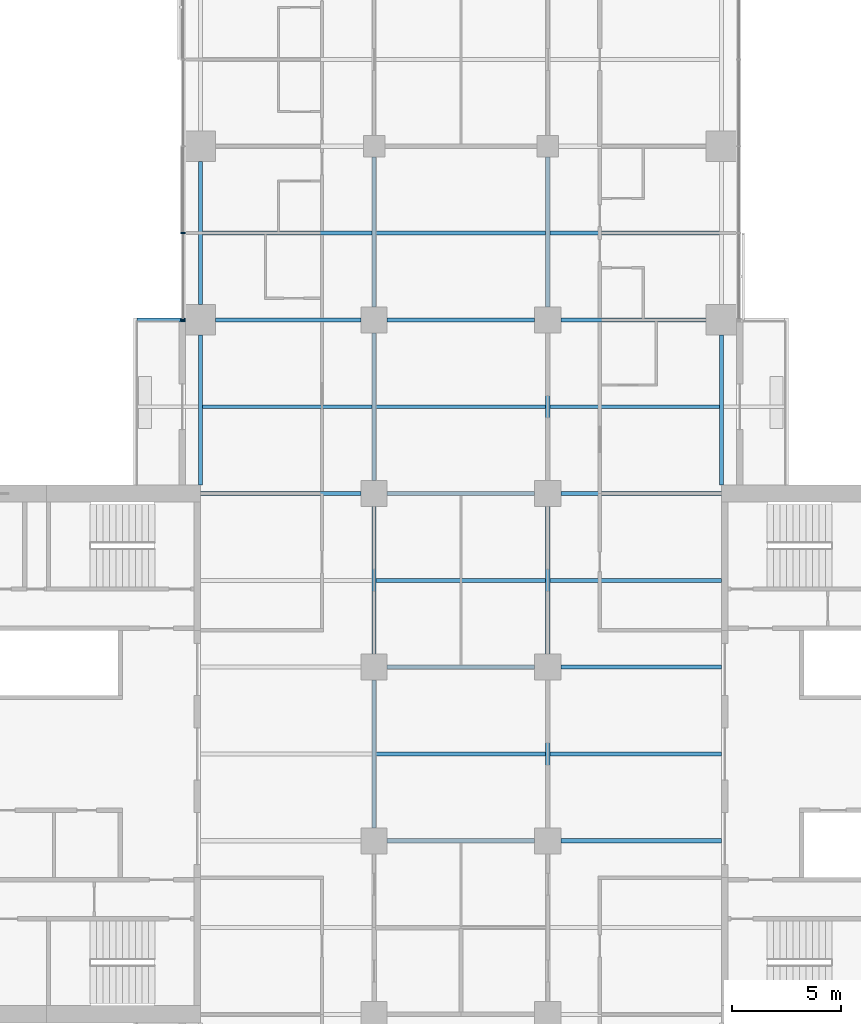
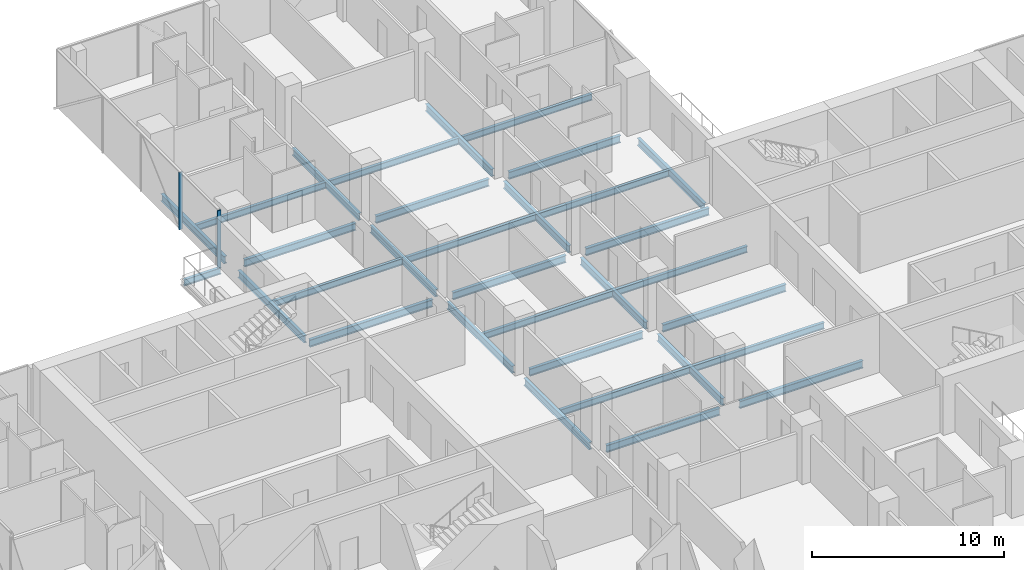
# One storey, part 9 of 27: 32 beams, 2 members, 1 element without a shape of its own.
"""IFC4 building model written with IfcOpenShell, lengths in metres."""

from ifc_helpers import new_model, si_unit, direction, frame, origin, origin_2d, place, context, subcontext, project, spatial, rectangle, i_section, extrude, material, material_profile, profile_set, type_object, element, aggregate, save


model = new_model("IFC4")

# Units and contexts
model_context = context("Model", 3, precision=1e-05, world=origin(), true_north=direction((0.0, 1.0)))
body_context = subcontext(model_context, "Body", "Model", "MODEL_VIEW")
ifc_project = project(units=[si_unit("LENGTHUNIT", "METRE"), si_unit("AREAUNIT", "SQUARE_METRE"), si_unit("VOLUMEUNIT", "CUBIC_METRE"), si_unit("PLANEANGLEUNIT", "RADIAN"), si_unit("MASSUNIT", "GRAM", prefix="KILO")], contexts=[model_context])

# Site, building, storey
site_placement = place(None, origin())
site = spatial("IfcSite", under=ifc_project, at=site_placement, CompositionType="ELEMENT")
building_placement = place(site_placement, origin())
building = spatial("IfcBuilding", under=site, at=building_placement, Name="Crosswind Convention Tower", CompositionType="ELEMENT")
storey_placement = place(building_placement, frame((0.0, 0.0, 64.60009765625)))
storey = spatial("IfcBuildingStorey", under=building, at=storey_placement, Name="L10", CompositionType="ELEMENT", Elevation=64.60009765625)

# Beams
ifc_material_1 = material(Name="Steel S355", Category="steel")
ifc_material_profile_1 = material_profile(ifc_material_1, i_section(OverallWidth=0.177734375, OverallDepth=0.406494140625, WebThickness=0.0078125, FlangeThickness=0.0126953125, FilletRadius=0.01025390625, at=origin_2d()), Name="UB 406x178x60")
ifc_profile_set_1 = profile_set([ifc_material_profile_1], Name="Steel S355")
beam_type_1 = type_object("IfcBeamType", Name="Balcony cantilever UB 406x178x60", PredefinedType="BEAM", material=ifc_profile_set_1)
beam_1_placement = place(storey_placement, frame((112.300048828125, 120.0, -0.4833984375), z_axis=(-1.0, 0.0, 0.0), x_axis=(0.0, -1.0, 0.0)))
element("IfcBeam", 1, at=beam_1_placement, inside=storey, type_object=beam_type_1, Name="B35 L10 balcony cantilever NW 5", PredefinedType="BEAM", context=body_context, shape_type="SweptSolid", body=[
    extrude(i_section(OverallWidth=0.177734375, OverallDepth=0.406494140625, WebThickness=0.0078125, FlangeThickness=0.0126953125, FilletRadius=0.01025390625, at=origin_2d()), origin(), (0.0, 0.0, 1.0), 2.214599609375),
])
ifc_material_profile_2 = material_profile(ifc_material_1, i_section(OverallWidth=0.1904296875, OverallDepth=0.457275390625, WebThickness=0.009033203125, FlangeThickness=0.014404296875, FilletRadius=0.01025390625, at=origin_2d()), Name="UB 457x191x75")
ifc_profile_set_2 = profile_set([ifc_material_profile_2], Name="Steel S355")
beam_type_2 = type_object("IfcBeamType", Name="Edge beam UB 457x191x75", PredefinedType="SPANDREL", material=ifc_profile_set_2)
beam_2_placement = place(storey_placement, frame((113.0, 112.39990234375, -0.5087890625), z_axis=(0.0, 1.0, 0.0), x_axis=(-1.0, 0.0, 0.0)))
element("IfcBeam", 2, at=beam_2_placement, inside=storey, type_object=beam_type_2, Name="B17 L10 edge beam 9", PredefinedType="SPANDREL", context=body_context, shape_type="SweptSolid", body=[
    extrude(i_section(OverallWidth=0.1904296875, OverallDepth=0.457275390625, WebThickness=0.009033203125, FlangeThickness=0.014404296875, FilletRadius=0.01025390625, at=origin_2d()), origin(), (0.0, 0.0, 1.0), 6.900146484375),
])
beam_3_placement = place(storey_placement, frame((113.0, 120.699951171875, -0.5087890625), z_axis=(0.0, 1.0, 0.0), x_axis=(-1.0, 0.0, 0.0)))
element("IfcBeam", 3, at=beam_3_placement, inside=storey, type_object=beam_type_2, Name="B17 L10 edge beam 10", PredefinedType="SPANDREL", context=body_context, shape_type="SweptSolid", body=[
    extrude(i_section(OverallWidth=0.1904296875, OverallDepth=0.457275390625, WebThickness=0.009033203125, FlangeThickness=0.014404296875, FilletRadius=0.01025390625, at=origin_2d()), origin(), (0.0, 0.0, 1.0), 6.60009765625),
])
beam_4_placement = place(storey_placement, frame((137.0, 112.39990234375, -0.5087890625), z_axis=(0.0, 1.0, 0.0), x_axis=(-1.0, 0.0, 0.0)))
element("IfcBeam", 4, at=beam_4_placement, inside=storey, type_object=beam_type_2, Name="B17 L10 edge beam 21", PredefinedType="SPANDREL", context=body_context, shape_type="SweptSolid", body=[
    extrude(i_section(OverallWidth=0.1904296875, OverallDepth=0.457275390625, WebThickness=0.009033203125, FlangeThickness=0.014404296875, FilletRadius=0.01025390625, at=origin_2d()), origin(), (0.0, 0.0, 1.0), 6.900146484375),
])
ifc_material_profile_3 = material_profile(ifc_material_1, i_section(OverallWidth=0.19140625, OverallDepth=0.460205078125, WebThickness=0.010009765625, FlangeThickness=0.01611328125, FilletRadius=0.01025390625, at=origin_2d()), Name="UB 457x191x82")
ifc_profile_set_3 = profile_set([ifc_material_profile_3], Name="Steel S355")
beam_type_3 = type_object("IfcBeamType", Name="Girder UB 457x191x82", PredefinedType="BEAM", material=ifc_profile_set_3)
beam_5_placement = place(storey_placement, frame((113.699951171875, 120.0, -0.51025390625), z_axis=(1.0, 0.0, 0.0), x_axis=(0.0, 1.0, 0.0)))
element("IfcBeam", 5, at=beam_5_placement, inside=storey, type_object=beam_type_3, Name="B3 L10 girder 3", PredefinedType="BEAM", context=body_context, shape_type="SweptSolid", body=[
    extrude(i_section(OverallWidth=0.19140625, OverallDepth=0.460205078125, WebThickness=0.010009765625, FlangeThickness=0.01611328125, FilletRadius=0.01025390625, at=origin_2d()), origin(), (0.0, 0.0, 1.0), 6.699951171875),
])
for number, where, z_axis, x_axis, name in (
    (6, (121.0, 96.60009765625, -0.51025390625), (0.0, 1.0, 0.0), (-1.0, 0.0, 0.0), "B3 L10 girder 9"),
    (7, (121.0, 104.60009765625, -0.51025390625), (0.0, 1.0, 0.0), (-1.0, 0.0, 0.0), "B3 L10 girder 10"),
    (8, (121.0, 112.60009765625, -0.51025390625), (0.0, 1.0, 0.0), (-1.0, 0.0, 0.0), "B3 L10 girder 11"),
):
    element("IfcBeam", number, at=place(storey_placement, frame(where, z_axis=z_axis, x_axis=x_axis)), inside=storey, type_object=beam_type_3, Name=name, PredefinedType="BEAM", context=body_context, shape_type="SweptSolid", body=[
        extrude(i_section(OverallWidth=0.19140625, OverallDepth=0.460205078125, WebThickness=0.010009765625, FlangeThickness=0.01611328125, FilletRadius=0.01025390625, at=origin_2d()), origin(), (0.0, 0.0, 1.0), 6.7998046875),
    ])
beam_6_placement = place(storey_placement, frame((121.0, 120.60009765625, -0.51025390625), z_axis=(0.0, 1.0, 0.0), x_axis=(-1.0, 0.0, 0.0)))
element("IfcBeam", 9, at=beam_6_placement, inside=storey, type_object=beam_type_3, Name="B3 L10 girder 12", PredefinedType="BEAM", context=body_context, shape_type="SweptSolid", body=[
    extrude(i_section(OverallWidth=0.19140625, OverallDepth=0.460205078125, WebThickness=0.010009765625, FlangeThickness=0.01611328125, FilletRadius=0.01025390625, at=origin_2d()), origin(), (0.0, 0.0, 1.0), 6.89990234375),
])
for number, where, z_axis, x_axis, name in (
    (10, (121.60009765625, 96.0, -0.51025390625), (1.0, 0.0, 0.0), (0.0, 1.0, 0.0), "B3 L10 girder 18"),
    (11, (121.60009765625, 104.0, -0.51025390625), (1.0, 0.0, 0.0), (0.0, 1.0, 0.0), "B3 L10 girder 19"),
    (12, (121.60009765625, 112.0, -0.51025390625), (1.0, 0.0, 0.0), (0.0, 1.0, 0.0), "B3 L10 girder 20"),
    (13, (121.60009765625, 120.0, -0.51025390625), (1.0, 0.0, 0.0), (0.0, 1.0, 0.0), "B3 L10 girder 21"),
    (14, (129.0, 96.60009765625, -0.51025390625), (0.0, 1.0, 0.0), (-1.0, 0.0, 0.0), "B3 L10 girder 26"),
    (15, (129.0, 104.60009765625, -0.51025390625), (0.0, 1.0, 0.0), (-1.0, 0.0, 0.0), "B3 L10 girder 27"),
    (16, (129.0, 112.60009765625, -0.51025390625), (0.0, 1.0, 0.0), (-1.0, 0.0, 0.0), "B3 L10 girder 28"),
):
    element("IfcBeam", number, at=place(storey_placement, frame(where, z_axis=z_axis, x_axis=x_axis)), inside=storey, type_object=beam_type_3, Name=name, PredefinedType="BEAM", context=body_context, shape_type="SweptSolid", body=[
        extrude(i_section(OverallWidth=0.19140625, OverallDepth=0.460205078125, WebThickness=0.010009765625, FlangeThickness=0.01611328125, FilletRadius=0.01025390625, at=origin_2d()), origin(), (0.0, 0.0, 1.0), 6.7998046875),
    ])
beam_7_placement = place(storey_placement, frame((129.0, 120.60009765625, -0.51025390625), z_axis=(0.0, 1.0, 0.0), x_axis=(-1.0, 0.0, 0.0)))
element("IfcBeam", 17, at=beam_7_placement, inside=storey, type_object=beam_type_3, Name="B3 L10 girder 29", PredefinedType="BEAM", context=body_context, shape_type="SweptSolid", body=[
    extrude(i_section(OverallWidth=0.19140625, OverallDepth=0.460205078125, WebThickness=0.010009765625, FlangeThickness=0.01611328125, FilletRadius=0.01025390625, at=origin_2d()), origin(), (0.0, 0.0, 1.0), 6.89990234375),
])
beam_8_placement = place(storey_placement, frame((129.60009765625, 120.0, -0.51025390625), z_axis=(1.0, 0.0, 0.0), x_axis=(0.0, 1.0, 0.0)))
element("IfcBeam", 18, at=beam_8_placement, inside=storey, type_object=beam_type_3, Name="B3 L10 girder 34", PredefinedType="BEAM", context=body_context, shape_type="SweptSolid", body=[
    extrude(i_section(OverallWidth=0.19140625, OverallDepth=0.460205078125, WebThickness=0.010009765625, FlangeThickness=0.01611328125, FilletRadius=0.01025390625, at=origin_2d()), origin(), (0.0, 0.0, 1.0), 6.699951171875),
])
ifc_material_profile_4 = material_profile(ifc_material_1, i_section(OverallWidth=0.19189453125, OverallDepth=0.463623046875, WebThickness=0.010498046875, FlangeThickness=0.017578125, FilletRadius=0.01025390625, at=origin_2d()), Name="UB 457x191x90")
ifc_profile_set_4 = profile_set([ifc_material_profile_4], Name="Steel S355")
beam_type_4 = type_object("IfcBeamType", Name="Girder at core wall UB 457x191x90", PredefinedType="BEAM", material=ifc_profile_set_4)
for number, where, z_axis, x_axis, name in (
    (19, (113.0, 112.0, -0.511962890625), (1.0, 0.0, 0.0), (0.0, 1.0, 0.0), "B24 L10 girder at core wall 6"),
    (20, (129.60009765625, 96.0, -0.511962890625), (1.0, 0.0, 0.0), (0.0, 1.0, 0.0), "B24 L10 girder at core wall 8"),
    (21, (129.60009765625, 104.0, -0.511962890625), (1.0, 0.0, 0.0), (0.0, 1.0, 0.0), "B24 L10 girder at core wall 9"),
    (22, (129.60009765625, 112.0, -0.511962890625), (1.0, 0.0, 0.0), (0.0, 1.0, 0.0), "B24 L10 girder at core wall 10"),
):
    element("IfcBeam", number, at=place(storey_placement, frame(where, z_axis=z_axis, x_axis=x_axis)), inside=storey, type_object=beam_type_4, Name=name, PredefinedType="BEAM", context=body_context, shape_type="SweptSolid", body=[
        extrude(i_section(OverallWidth=0.19189453125, OverallDepth=0.463623046875, WebThickness=0.010498046875, FlangeThickness=0.017578125, FilletRadius=0.01025390625, at=origin_2d()), origin(), (0.0, 0.0, 1.0), 7.39990234375),
    ])

# Curtain wall, members
ifc_material_2 = material(Name="Aluminium unitised curtain wall", Category="aluminium")
curtain_wall_type = type_object("IfcCurtainWallType", Name="HOTEL UNITISED WALL 200", PredefinedType="USERDEFINED", material=ifc_material_2)
curtain_wall_placement = place(storey_placement, origin())
curtain_wall = element("IfcCurtainWall", 23, at=curtain_wall_placement, inside=storey, type_object=curtain_wall_type, Name="CW2 L10 N-W 1", ObjectType="UNITISED", PredefinedType="USERDEFINED")
ifc_material_3 = material(Name="Aluminium mullion", Category="aluminium")
ifc_material_profile_5 = material_profile(ifc_material_3, rectangle(XDim=0.199951171875, YDim=0.06494140625, at=origin_2d()), Name="AL 200X65")
ifc_profile_set_5 = profile_set([ifc_material_profile_5], Name="Aluminium mullion")
member_type = type_object("IfcMemberType", Name="MULLION 65X200", PredefinedType="MULLION", material=ifc_profile_set_5)
member_1_placement = place(storey_placement, frame((112.199951171875, 124.0, -0.280029296875), z_axis=(0.0, 0.0, 1.0), x_axis=(-1.0, 0.0, 0.0)))
member_1 = element("IfcMember", 24, at=member_1_placement, type_object=member_type, Name="CW2 mullion 4", PredefinedType="MULLION", context=body_context, shape_type="SweptSolid", body=[
    extrude(rectangle(XDim=0.199951171875, YDim=0.06494140625, at=origin_2d()), origin(), (0.0, 0.0, 1.0), 3.635009765625),
])
member_2_placement = place(storey_placement, frame((112.199951171875, 120.0, -0.280029296875), z_axis=(0.0, 0.0, 1.0), x_axis=(-1.0, 0.0, 0.0)))
member_2 = element("IfcMember", 25, at=member_2_placement, type_object=member_type, Name="CW2 mullion 5", PredefinedType="MULLION", context=body_context, shape_type="SweptSolid", body=[
    extrude(rectangle(XDim=0.199951171875, YDim=0.06494140625, at=origin_2d()), origin(), (0.0, 0.0, 1.0), 3.635009765625),
])
aggregate(curtain_wall, [member_1, member_2])

# Beams
ifc_material_profile_6 = material_profile(ifc_material_1, i_section(OverallWidth=0.177734375, OverallDepth=0.406494140625, WebThickness=0.0078125, FlangeThickness=0.0126953125, FilletRadius=0.01025390625, at=origin_2d()), Name="UB 406x178x60")
ifc_profile_set_6 = profile_set([ifc_material_profile_6], Name="Steel S355")
beam_type_5 = type_object("IfcBeamType", Name="Secondary beam UB 406x178x60", PredefinedType="JOIST", material=ifc_profile_set_6)
for number, where, z_axis, x_axis, name in (
    (26, (113.09521484375, 116.0, -0.4833984375), (1.0, 0.0, 0.0), (0.0, 1.0, 0.0), "B10 L10 secondary beam 10"),
    (27, (113.09521484375, 124.0, -0.4833984375), (1.0, 0.0, 0.0), (0.0, 1.0, 0.0), "B10 L10 secondary beam 11"),
):
    element("IfcBeam", number, at=place(storey_placement, frame(where, z_axis=z_axis, x_axis=x_axis)), inside=storey, type_object=beam_type_5, Name=name, PredefinedType="JOIST", context=body_context, shape_type="SweptSolid", body=[
        extrude(i_section(OverallWidth=0.177734375, OverallDepth=0.406494140625, WebThickness=0.0078125, FlangeThickness=0.0126953125, FilletRadius=0.01025390625, at=origin_2d()), origin(), (0.0, 0.0, 1.0), 7.80908203125),
    ])
for number, where, z_axis, x_axis, name in (
    (28, (121.095703125, 100.0, -0.4833984375), (1.0, 0.0, 0.0), (0.0, 1.0, 0.0), "B10 L10 secondary beam 17"),
    (29, (121.095703125, 108.0, -0.4833984375), (1.0, 0.0, 0.0), (0.0, 1.0, 0.0), "B10 L10 secondary beam 18"),
    (30, (121.095703125, 116.0, -0.4833984375), (1.0, 0.0, 0.0), (0.0, 1.0, 0.0), "B10 L10 secondary beam 19"),
    (31, (121.095703125, 124.0, -0.4833984375), (1.0, 0.0, 0.0), (0.0, 1.0, 0.0), "B10 L10 secondary beam 20"),
):
    element("IfcBeam", number, at=place(storey_placement, frame(where, z_axis=z_axis, x_axis=x_axis)), inside=storey, type_object=beam_type_5, Name=name, PredefinedType="JOIST", context=body_context, shape_type="SweptSolid", body=[
        extrude(i_section(OverallWidth=0.177734375, OverallDepth=0.406494140625, WebThickness=0.0078125, FlangeThickness=0.0126953125, FilletRadius=0.01025390625, at=origin_2d()), origin(), (0.0, 0.0, 1.0), 7.80859375),
    ])
for number, where, z_axis, x_axis, name in (
    (32, (129.095703125, 100.0, -0.4833984375), (1.0, 0.0, 0.0), (0.0, 1.0, 0.0), "B10 L10 secondary beam 26"),
    (33, (129.095703125, 108.0, -0.4833984375), (1.0, 0.0, 0.0), (0.0, 1.0, 0.0), "B10 L10 secondary beam 27"),
):
    element("IfcBeam", number, at=place(storey_placement, frame(where, z_axis=z_axis, x_axis=x_axis)), inside=storey, type_object=beam_type_5, Name=name, PredefinedType="JOIST", context=body_context, shape_type="SweptSolid", body=[
        extrude(i_section(OverallWidth=0.177734375, OverallDepth=0.406494140625, WebThickness=0.0078125, FlangeThickness=0.0126953125, FilletRadius=0.01025390625, at=origin_2d()), origin(), (0.0, 0.0, 1.0), 7.904296875),
    ])
for number, where, z_axis, x_axis, name in (
    (34, (129.095703125, 116.0, -0.4833984375), (1.0, 0.0, 0.0), (0.0, 1.0, 0.0), "B10 L10 secondary beam 28"),
    (35, (129.095703125, 124.0, -0.4833984375), (1.0, 0.0, 0.0), (0.0, 1.0, 0.0), "B10 L10 secondary beam 29"),
):
    element("IfcBeam", number, at=place(storey_placement, frame(where, z_axis=z_axis, x_axis=x_axis)), inside=storey, type_object=beam_type_5, Name=name, PredefinedType="JOIST", context=body_context, shape_type="SweptSolid", body=[
        extrude(i_section(OverallWidth=0.177734375, OverallDepth=0.406494140625, WebThickness=0.0078125, FlangeThickness=0.0126953125, FilletRadius=0.01025390625, at=origin_2d()), origin(), (0.0, 0.0, 1.0), 7.80908203125),
    ])

save(model, "model.ifc")
